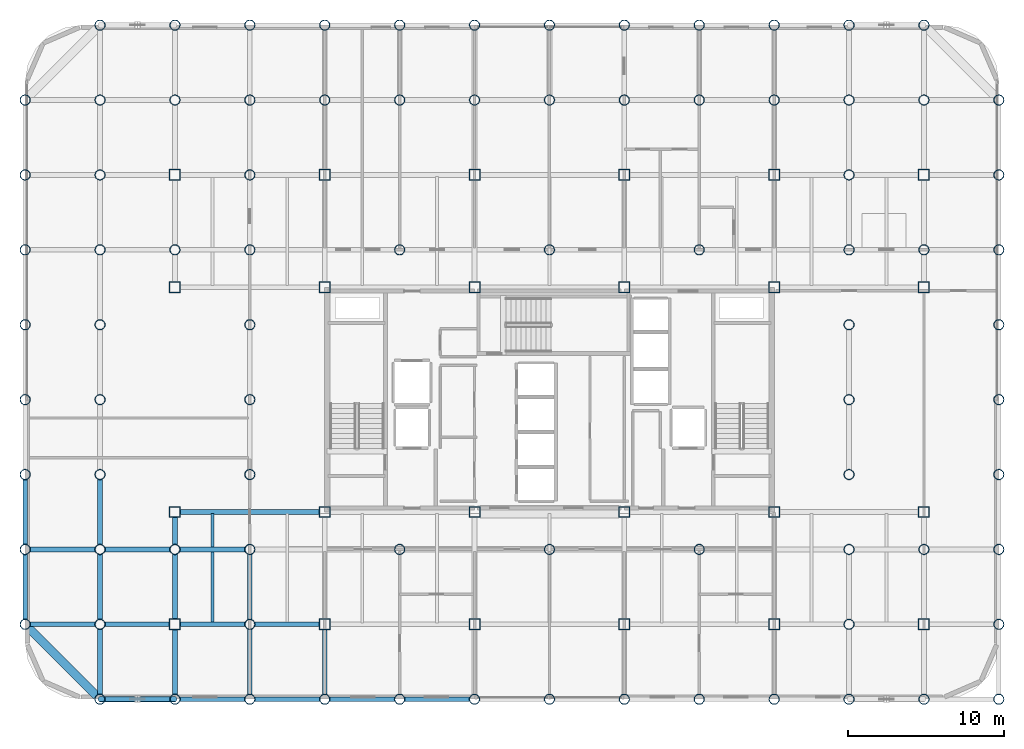
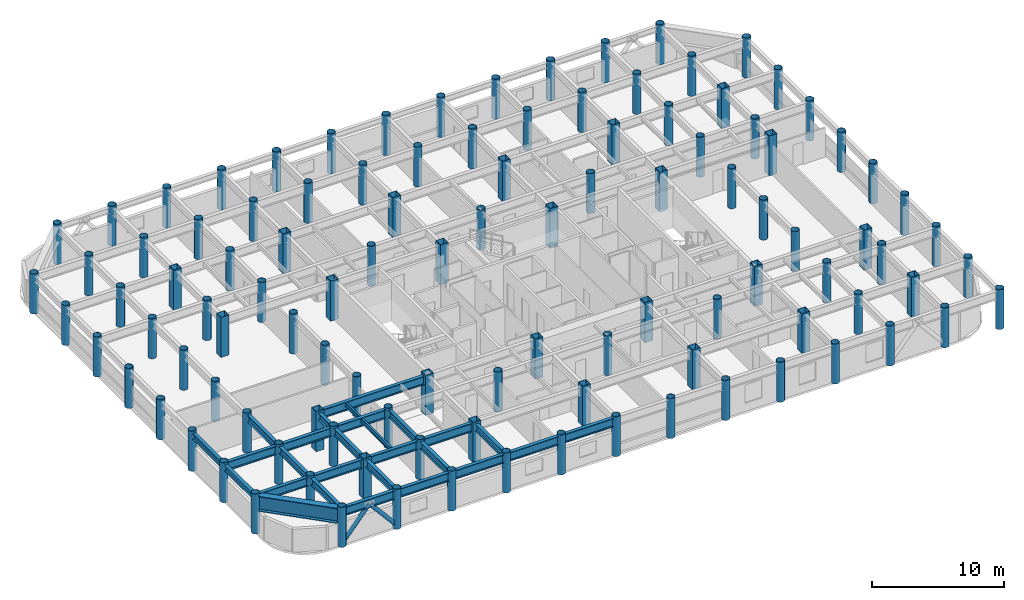
# One storey, part 1 of 21: 108 columns, 26 beams, 2 members.
"""IFC4 building model written with IfcOpenShell, lengths in metres."""

from ifc_helpers import new_model, si_unit, direction, frame, origin, origin_2d, place, context, subcontext, project, spatial, hollow_rectangle, hollow_circle, i_section, extrude, material, material_profile, profile_set, type_object, element, save


model = new_model("IFC4")

# Units and contexts
model_context = context("Model", 3, precision=1e-05, world=origin(), true_north=direction((0.0, 1.0)))
body_context = subcontext(model_context, "Body", "Model", "MODEL_VIEW")
ifc_project = project(units=[si_unit("LENGTHUNIT", "METRE"), si_unit("AREAUNIT", "SQUARE_METRE"), si_unit("VOLUMEUNIT", "CUBIC_METRE"), si_unit("PLANEANGLEUNIT", "RADIAN"), si_unit("MASSUNIT", "GRAM", prefix="KILO")], contexts=[model_context])

# Site, building, storey
site_placement = place(None, origin())
site = spatial("IfcSite", under=ifc_project, at=site_placement, CompositionType="ELEMENT")
building_placement = place(site_placement, origin())
building = spatial("IfcBuilding", under=site, at=building_placement, Name="Kallvorn Hotel Tower", CompositionType="ELEMENT")
storey_placement = place(building_placement, frame((0.0, 0.0, 139.60009765625)))
storey = spatial("IfcBuildingStorey", under=building, at=storey_placement, Name="L34", CompositionType="ELEMENT", Elevation=139.60009765625)

# Columns
ifc_material_1 = material(Name="Structural steel S355J2H", Category="steel")
ifc_material_profile_1 = material_profile(ifc_material_1, hollow_circle(Radius=0.330078125, WallThickness=0.028076171875, at=origin_2d()), Name="CHS 660x28")
ifc_profile_set_1 = profile_set([ifc_material_profile_1], Name="Structural steel S355J2H")
column_type_1 = type_object("IfcColumnType", Name="COL_CHS_660", PredefinedType="COLUMN", material=ifc_profile_set_1)
for number, where, z_axis, x_axis, name in (
    (1, (-33.60009765625, -14.39990234375, 0.0), (0.0, 0.0, 1.0), (1.0, 0.0, 0.0), "L34 Exoskeleton Column EC01"),
    (2, (-33.60009765625, -9.60009765625, 0.0), (0.0, 0.0, 1.0), (1.0, 0.0, 0.0), "L34 Exoskeleton Column EC02"),
    (3, (-33.60009765625, -4.800048828125, 0.0), (0.0, 0.0, 1.0), (1.0, 0.0, 0.0), "L34 Exoskeleton Column EC03"),
    (4, (-33.60009765625, 0.0, 0.0), (0.0, 0.0, 1.0), (1.0, 0.0, 0.0), "L34 Exoskeleton Column EC04"),
    (5, (-33.60009765625, 4.800048828125, 0.0), (0.0, 0.0, 1.0), (1.0, 0.0, 0.0), "L34 Exoskeleton Column EC05"),
    (6, (-33.60009765625, 9.60009765625, 0.0), (0.0, 0.0, 1.0), (1.0, 0.0, 0.0), "L34 Exoskeleton Column EC06"),
    (7, (-33.60009765625, 14.39990234375, 0.0), (0.0, 0.0, 1.0), (1.0, 0.0, 0.0), "L34 Exoskeleton Column EC07"),
    (8, (-33.60009765625, 19.199951171875, 0.0), (0.0, 0.0, 1.0), (1.0, 0.0, 0.0), "L34 Exoskeleton Column EC08"),
    (9, (-28.800048828125, -19.199951171875, 0.0), (0.0, 0.0, 1.0), (1.0, 0.0, 0.0), "L34 Exoskeleton Column EC09"),
    (10, (-28.800048828125, -14.39990234375, 0.0), (0.0, 0.0, 1.0), (1.0, 0.0, 0.0), "L34 Exoskeleton Column EC10"),
    (11, (-28.800048828125, -9.60009765625, 0.0), (0.0, 0.0, 1.0), (1.0, 0.0, 0.0), "L34 Exoskeleton Column EC11"),
    (12, (-28.800048828125, -4.800048828125, 0.0), (0.0, 0.0, 1.0), (1.0, 0.0, 0.0), "L34 Exoskeleton Column EC12"),
    (13, (-28.800048828125, 0.0, 0.0), (0.0, 0.0, 1.0), (1.0, 0.0, 0.0), "L34 Exoskeleton Column EC13"),
    (14, (-28.800048828125, 4.800048828125, 0.0), (0.0, 0.0, 1.0), (1.0, 0.0, 0.0), "L34 Exoskeleton Column EC14"),
    (15, (-28.800048828125, 9.60009765625, 0.0), (0.0, 0.0, 1.0), (1.0, 0.0, 0.0), "L34 Exoskeleton Column EC15"),
    (16, (-28.800048828125, 14.39990234375, 0.0), (0.0, 0.0, 1.0), (1.0, 0.0, 0.0), "L34 Exoskeleton Column EC16"),
    (17, (-28.800048828125, 19.199951171875, 0.0), (0.0, 0.0, 1.0), (1.0, 0.0, 0.0), "L34 Exoskeleton Column EC17"),
    (18, (-28.800048828125, 24.0, 0.0), (0.0, 0.0, 1.0), (1.0, 0.0, 0.0), "L34 Exoskeleton Column EC18"),
    (19, (-24.0, -19.199951171875, 0.0), (0.0, 0.0, 1.0), (1.0, 0.0, 0.0), "L34 Exoskeleton Column EC19"),
    (20, (-24.0, -9.60009765625, 0.0), (0.0, 0.0, 1.0), (1.0, 0.0, 0.0), "L34 Exoskeleton Column EC20"),
    (21, (-24.0, 9.60009765625, 0.0), (0.0, 0.0, 1.0), (1.0, 0.0, 0.0), "L34 Exoskeleton Column EC21"),
    (22, (-24.0, 19.199951171875, 0.0), (0.0, 0.0, 1.0), (1.0, 0.0, 0.0), "L34 Exoskeleton Column EC22"),
    (23, (-24.0, 24.0, 0.0), (0.0, 0.0, 1.0), (1.0, 0.0, 0.0), "L34 Exoskeleton Column EC23"),
    (24, (-19.199951171875, -19.199951171875, 0.0), (0.0, 0.0, 1.0), (1.0, 0.0, 0.0), "L34 Exoskeleton Column EC24"),
    (25, (-19.199951171875, -14.39990234375, 0.0), (0.0, 0.0, 1.0), (1.0, 0.0, 0.0), "L34 Exoskeleton Column EC25"),
    (26, (-19.199951171875, -9.60009765625, 0.0), (0.0, 0.0, 1.0), (1.0, 0.0, 0.0), "L34 Exoskeleton Column EC26"),
    (27, (-19.199951171875, -4.800048828125, 0.0), (0.0, 0.0, 1.0), (1.0, 0.0, 0.0), "L34 Exoskeleton Column EC27"),
    (28, (-19.199951171875, 0.0, 0.0), (0.0, 0.0, 1.0), (1.0, 0.0, 0.0), "L34 Exoskeleton Column EC28"),
    (29, (-19.199951171875, 4.800048828125, 0.0), (0.0, 0.0, 1.0), (1.0, 0.0, 0.0), "L34 Exoskeleton Column EC29"),
    (30, (-19.199951171875, 9.60009765625, 0.0), (0.0, 0.0, 1.0), (1.0, 0.0, 0.0), "L34 Exoskeleton Column EC30"),
    (31, (-19.199951171875, 14.39990234375, 0.0), (0.0, 0.0, 1.0), (1.0, 0.0, 0.0), "L34 Exoskeleton Column EC31"),
    (32, (-19.199951171875, 19.199951171875, 0.0), (0.0, 0.0, 1.0), (1.0, 0.0, 0.0), "L34 Exoskeleton Column EC32"),
    (33, (-19.199951171875, 24.0, 0.0), (0.0, 0.0, 1.0), (1.0, 0.0, 0.0), "L34 Exoskeleton Column EC33"),
    (34, (-14.39990234375, -19.199951171875, 0.0), (0.0, 0.0, 1.0), (1.0, 0.0, 0.0), "L34 Exoskeleton Column EC34"),
    (35, (-14.39990234375, 19.199951171875, 0.0), (0.0, 0.0, 1.0), (1.0, 0.0, 0.0), "L34 Exoskeleton Column EC35"),
    (36, (-14.39990234375, 24.0, 0.0), (0.0, 0.0, 1.0), (1.0, 0.0, 0.0), "L34 Exoskeleton Column EC36"),
    (37, (-9.60009765625, -19.199951171875, 0.0), (0.0, 0.0, 1.0), (1.0, 0.0, 0.0), "L34 Exoskeleton Column EC37"),
    (38, (-9.60009765625, -9.60009765625, 0.0), (0.0, 0.0, 1.0), (1.0, 0.0, 0.0), "L34 Exoskeleton Column EC38"),
    (39, (-9.60009765625, 9.60009765625, 0.0), (0.0, 0.0, 1.0), (1.0, 0.0, 0.0), "L34 Exoskeleton Column EC39"),
    (40, (-9.60009765625, 19.199951171875, 0.0), (0.0, 0.0, 1.0), (1.0, 0.0, 0.0), "L34 Exoskeleton Column EC40"),
    (41, (-9.60009765625, 24.0, 0.0), (0.0, 0.0, 1.0), (1.0, 0.0, 0.0), "L34 Exoskeleton Column EC41"),
    (42, (-4.800048828125, -19.199951171875, 0.0), (0.0, 0.0, 1.0), (1.0, 0.0, 0.0), "L34 Exoskeleton Column EC42"),
    (43, (-4.800048828125, 19.199951171875, 0.0), (0.0, 0.0, 1.0), (1.0, 0.0, 0.0), "L34 Exoskeleton Column EC43"),
    (44, (-4.800048828125, 24.0, 0.0), (0.0, 0.0, 1.0), (1.0, 0.0, 0.0), "L34 Exoskeleton Column EC44"),
    (45, (0.0, -19.199951171875, 0.0), (0.0, 0.0, 1.0), (1.0, 0.0, 0.0), "L34 Exoskeleton Column EC45"),
    (46, (0.0, -9.60009765625, 0.0), (0.0, 0.0, 1.0), (1.0, 0.0, 0.0), "L34 Exoskeleton Column EC46"),
    (47, (0.0, 9.60009765625, 0.0), (0.0, 0.0, 1.0), (1.0, 0.0, 0.0), "L34 Exoskeleton Column EC47"),
    (48, (0.0, 19.199951171875, 0.0), (0.0, 0.0, 1.0), (1.0, 0.0, 0.0), "L34 Exoskeleton Column EC48"),
    (49, (0.0, 24.0, 0.0), (0.0, 0.0, 1.0), (1.0, 0.0, 0.0), "L34 Exoskeleton Column EC49"),
    (50, (4.800048828125, -19.199951171875, 0.0), (0.0, 0.0, 1.0), (1.0, 0.0, 0.0), "L34 Exoskeleton Column EC50"),
    (51, (4.800048828125, 19.199951171875, 0.0), (0.0, 0.0, 1.0), (1.0, 0.0, 0.0), "L34 Exoskeleton Column EC51"),
    (52, (4.800048828125, 24.0, 0.0), (0.0, 0.0, 1.0), (1.0, 0.0, 0.0), "L34 Exoskeleton Column EC52"),
    (53, (9.60009765625, -19.199951171875, 0.0), (0.0, 0.0, 1.0), (1.0, 0.0, 0.0), "L34 Exoskeleton Column EC53"),
    (54, (9.60009765625, -9.60009765625, 0.0), (0.0, 0.0, 1.0), (1.0, 0.0, 0.0), "L34 Exoskeleton Column EC54"),
    (55, (9.60009765625, 9.60009765625, 0.0), (0.0, 0.0, 1.0), (1.0, 0.0, 0.0), "L34 Exoskeleton Column EC55"),
    (56, (9.60009765625, 19.199951171875, 0.0), (0.0, 0.0, 1.0), (1.0, 0.0, 0.0), "L34 Exoskeleton Column EC56"),
    (57, (9.60009765625, 24.0, 0.0), (0.0, 0.0, 1.0), (1.0, 0.0, 0.0), "L34 Exoskeleton Column EC57"),
    (58, (14.39990234375, -19.199951171875, 0.0), (0.0, 0.0, 1.0), (1.0, 0.0, 0.0), "L34 Exoskeleton Column EC58"),
    (59, (14.39990234375, 19.199951171875, 0.0), (0.0, 0.0, 1.0), (1.0, 0.0, 0.0), "L34 Exoskeleton Column EC59"),
    (60, (14.39990234375, 24.0, 0.0), (0.0, 0.0, 1.0), (1.0, 0.0, 0.0), "L34 Exoskeleton Column EC60"),
    (61, (19.199951171875, -19.199951171875, 0.0), (0.0, 0.0, 1.0), (1.0, 0.0, 0.0), "L34 Exoskeleton Column EC61"),
    (62, (19.199951171875, -14.39990234375, 0.0), (0.0, 0.0, 1.0), (1.0, 0.0, 0.0), "L34 Exoskeleton Column EC62"),
    (63, (19.199951171875, -9.60009765625, 0.0), (0.0, 0.0, 1.0), (1.0, 0.0, 0.0), "L34 Exoskeleton Column EC63"),
    (64, (19.199951171875, -4.800048828125, 0.0), (0.0, 0.0, 1.0), (1.0, 0.0, 0.0), "L34 Exoskeleton Column EC64"),
    (65, (19.199951171875, 0.0, 0.0), (0.0, 0.0, 1.0), (1.0, 0.0, 0.0), "L34 Exoskeleton Column EC65"),
    (66, (19.199951171875, 4.800048828125, 0.0), (0.0, 0.0, 1.0), (1.0, 0.0, 0.0), "L34 Exoskeleton Column EC66"),
    (67, (19.199951171875, 9.60009765625, 0.0), (0.0, 0.0, 1.0), (1.0, 0.0, 0.0), "L34 Exoskeleton Column EC67"),
    (68, (19.199951171875, 14.39990234375, 0.0), (0.0, 0.0, 1.0), (1.0, 0.0, 0.0), "L34 Exoskeleton Column EC68"),
    (69, (19.199951171875, 19.199951171875, 0.0), (0.0, 0.0, 1.0), (1.0, 0.0, 0.0), "L34 Exoskeleton Column EC69"),
    (70, (19.199951171875, 24.0, 0.0), (0.0, 0.0, 1.0), (1.0, 0.0, 0.0), "L34 Exoskeleton Column EC70"),
    (71, (24.0, -19.199951171875, 0.0), (0.0, 0.0, 1.0), (1.0, 0.0, 0.0), "L34 Exoskeleton Column EC71"),
    (72, (24.0, -9.60009765625, 0.0), (0.0, 0.0, 1.0), (1.0, 0.0, 0.0), "L34 Exoskeleton Column EC72"),
    (73, (24.0, 9.60009765625, 0.0), (0.0, 0.0, 1.0), (1.0, 0.0, 0.0), "L34 Exoskeleton Column EC73"),
    (74, (24.0, 19.199951171875, 0.0), (0.0, 0.0, 1.0), (1.0, 0.0, 0.0), "L34 Exoskeleton Column EC74"),
    (75, (24.0, 24.0, 0.0), (0.0, 0.0, 1.0), (1.0, 0.0, 0.0), "L34 Exoskeleton Column EC75"),
    (76, (28.800048828125, -19.199951171875, 0.0), (0.0, 0.0, 1.0), (1.0, 0.0, 0.0), "L34 Exoskeleton Column EC76"),
    (77, (28.800048828125, -14.39990234375, 0.0), (0.0, 0.0, 1.0), (1.0, 0.0, 0.0), "L34 Exoskeleton Column EC77"),
    (78, (28.800048828125, -9.60009765625, 0.0), (0.0, 0.0, 1.0), (1.0, 0.0, 0.0), "L34 Exoskeleton Column EC78"),
    (79, (28.800048828125, -4.800048828125, 0.0), (0.0, 0.0, 1.0), (1.0, 0.0, 0.0), "L34 Exoskeleton Column EC79"),
    (80, (28.800048828125, 0.0, 0.0), (0.0, 0.0, 1.0), (1.0, 0.0, 0.0), "L34 Exoskeleton Column EC80"),
    (81, (28.800048828125, 4.800048828125, 0.0), (0.0, 0.0, 1.0), (1.0, 0.0, 0.0), "L34 Exoskeleton Column EC81"),
    (82, (28.800048828125, 9.60009765625, 0.0), (0.0, 0.0, 1.0), (1.0, 0.0, 0.0), "L34 Exoskeleton Column EC82"),
    (83, (28.800048828125, 14.39990234375, 0.0), (0.0, 0.0, 1.0), (1.0, 0.0, 0.0), "L34 Exoskeleton Column EC83"),
    (84, (28.800048828125, 19.199951171875, 0.0), (0.0, 0.0, 1.0), (1.0, 0.0, 0.0), "L34 Exoskeleton Column EC84"),
):
    element("IfcColumn", number, at=place(storey_placement, frame(where, z_axis=z_axis, x_axis=x_axis)), inside=storey, type_object=column_type_1, Name=name, PredefinedType="COLUMN", context=body_context, shape_type="SweptSolid", body=[
        extrude(hollow_circle(Radius=0.330078125, WallThickness=0.028076171875, at=origin_2d()), origin(), (0.0, 0.0, 1.0), 3.699951171875),
    ])
ifc_material_2 = material(Name="Structural steel S355J2H", Category="steel")
ifc_material_profile_2 = material_profile(ifc_material_2, hollow_rectangle(XDim=0.699951171875, YDim=0.699951171875, WallThickness=0.031982421875, at=origin_2d()), Name="RHS 700x700x32")
ifc_profile_set_2 = profile_set([ifc_material_profile_2], Name="Structural steel S355J2H")
column_type_2 = type_object("IfcColumnType", Name="COL_RHS_700", PredefinedType="COLUMN", material=ifc_profile_set_2)
for number, where, z_axis, x_axis, name in (
    (85, (-24.0, -14.39990234375, 0.0), (0.0, 0.0, 1.0), (1.0, 0.0, 0.0), "L34 Inner Column IC01"),
    (86, (-24.0, -7.199951171875, 0.0), (0.0, 0.0, 1.0), (1.0, 0.0, 0.0), "L34 Inner Column IC02"),
    (87, (-24.0, 7.199951171875, 0.0), (0.0, 0.0, 1.0), (1.0, 0.0, 0.0), "L34 Inner Column IC03"),
    (88, (-24.0, 14.39990234375, 0.0), (0.0, 0.0, 1.0), (1.0, 0.0, 0.0), "L34 Inner Column IC04"),
    (89, (-14.39990234375, -14.39990234375, 0.0), (0.0, 0.0, 1.0), (1.0, 0.0, 0.0), "L34 Inner Column IC05"),
    (90, (-14.39990234375, -7.199951171875, 0.0), (0.0, 0.0, 1.0), (1.0, 0.0, 0.0), "L34 Inner Column IC06"),
    (91, (-14.39990234375, 7.199951171875, 0.0), (0.0, 0.0, 1.0), (1.0, 0.0, 0.0), "L34 Inner Column IC07"),
    (92, (-14.39990234375, 14.39990234375, 0.0), (0.0, 0.0, 1.0), (1.0, 0.0, 0.0), "L34 Inner Column IC08"),
    (93, (-4.800048828125, -14.39990234375, 0.0), (0.0, 0.0, 1.0), (1.0, 0.0, 0.0), "L34 Inner Column IC09"),
    (94, (-4.800048828125, -7.199951171875, 0.0), (0.0, 0.0, 1.0), (1.0, 0.0, 0.0), "L34 Inner Column IC10"),
    (95, (-4.800048828125, 7.199951171875, 0.0), (0.0, 0.0, 1.0), (1.0, 0.0, 0.0), "L34 Inner Column IC11"),
    (96, (-4.800048828125, 14.39990234375, 0.0), (0.0, 0.0, 1.0), (1.0, 0.0, 0.0), "L34 Inner Column IC12"),
    (97, (4.800048828125, -14.39990234375, 0.0), (0.0, 0.0, 1.0), (1.0, 0.0, 0.0), "L34 Inner Column IC13"),
    (98, (4.800048828125, -7.199951171875, 0.0), (0.0, 0.0, 1.0), (1.0, 0.0, 0.0), "L34 Inner Column IC14"),
    (99, (4.800048828125, 7.199951171875, 0.0), (0.0, 0.0, 1.0), (1.0, 0.0, 0.0), "L34 Inner Column IC15"),
    (100, (4.800048828125, 14.39990234375, 0.0), (0.0, 0.0, 1.0), (1.0, 0.0, 0.0), "L34 Inner Column IC16"),
    (101, (14.39990234375, -14.39990234375, 0.0), (0.0, 0.0, 1.0), (1.0, 0.0, 0.0), "L34 Inner Column IC17"),
    (102, (14.39990234375, -7.199951171875, 0.0), (0.0, 0.0, 1.0), (1.0, 0.0, 0.0), "L34 Inner Column IC18"),
    (103, (14.39990234375, 7.199951171875, 0.0), (0.0, 0.0, 1.0), (1.0, 0.0, 0.0), "L34 Inner Column IC19"),
    (104, (14.39990234375, 14.39990234375, 0.0), (0.0, 0.0, 1.0), (1.0, 0.0, 0.0), "L34 Inner Column IC20"),
    (105, (24.0, -14.39990234375, 0.0), (0.0, 0.0, 1.0), (1.0, 0.0, 0.0), "L34 Inner Column IC21"),
    (106, (24.0, -7.199951171875, 0.0), (0.0, 0.0, 1.0), (1.0, 0.0, 0.0), "L34 Inner Column IC22"),
    (107, (24.0, 7.199951171875, 0.0), (0.0, 0.0, 1.0), (1.0, 0.0, 0.0), "L34 Inner Column IC23"),
    (108, (24.0, 14.39990234375, 0.0), (0.0, 0.0, 1.0), (1.0, 0.0, 0.0), "L34 Inner Column IC24"),
):
    element("IfcColumn", number, at=place(storey_placement, frame(where, z_axis=z_axis, x_axis=x_axis)), inside=storey, type_object=column_type_2, Name=name, PredefinedType="COLUMN", context=body_context, shape_type="SweptSolid", body=[
        extrude(hollow_rectangle(XDim=0.699951171875, YDim=0.699951171875, WallThickness=0.031982421875, at=origin_2d()), origin(), (0.0, 0.0, 1.0), 3.699951171875),
    ])

# Beams
ifc_material_3 = material(Name="Structural steel S355JR", Category="steel")
ifc_material_profile_3 = material_profile(ifc_material_3, i_section(OverallWidth=0.300048828125, OverallDepth=0.550048828125, WebThickness=0.014892578125, FlangeThickness=0.029052734375, at=origin_2d()), Name="HE 550 B")
ifc_profile_set_3 = profile_set([ifc_material_profile_3], Name="Structural steel S355JR")
beam_type_1 = type_object("IfcBeamType", Name="BM_HE550B", PredefinedType="SPANDREL", material=ifc_profile_set_3)
beam_1_placement = place(storey_placement, frame((-33.60009765625, -14.080078125, 3.244873046875), z_axis=(0.0, 1.0, 0.0), x_axis=(-1.0, 0.0, 0.0)))
element("IfcBeam", 109, at=beam_1_placement, inside=storey, type_object=beam_type_1, Name="L35 Perimeter Spandrel 174", PredefinedType="SPANDREL", context=body_context, shape_type="SweptSolid", body=[
    extrude(i_section(OverallWidth=0.300048828125, OverallDepth=0.550048828125, WebThickness=0.014892578125, FlangeThickness=0.029052734375, at=origin_2d()), origin(), (0.0, 0.0, 1.0), 4.16015625),
])
beam_2_placement = place(storey_placement, frame((-33.60009765625, -9.280029296875, 3.244873046875), z_axis=(0.0, 1.0, 0.0), x_axis=(-1.0, 0.0, 0.0)))
element("IfcBeam", 110, at=beam_2_placement, inside=storey, type_object=beam_type_1, Name="L35 Perimeter Spandrel 175", PredefinedType="SPANDREL", context=body_context, shape_type="SweptSolid", body=[
    extrude(i_section(OverallWidth=0.300048828125, OverallDepth=0.550048828125, WebThickness=0.014892578125, FlangeThickness=0.029052734375, at=origin_2d()), origin(), (0.0, 0.0, 1.0), 4.159912109375),
])
ifc_material_4 = material(Name="Structural steel S355JR", Category="steel")
ifc_material_profile_4 = material_profile(ifc_material_4, i_section(OverallWidth=0.300048828125, OverallDepth=0.64990234375, WebThickness=0.01611328125, FlangeThickness=0.031005859375, at=origin_2d()), Name="HE 650 B")
ifc_profile_set_4 = profile_set([ifc_material_profile_4], Name="Structural steel S355JR")
beam_type_2 = type_object("IfcBeamType", Name="BM_HE650B", PredefinedType="BEAM", material=ifc_profile_set_4)
for number, where, z_axis, x_axis, name in (
    (111, (-28.800048828125, -18.89501953125, 3.19482421875), (0.0, 1.0, 0.0), (-1.0, 0.0, 0.0), "L35 Primary Y-Girder 73"),
    (112, (-28.800048828125, -14.094970703125, 3.19482421875), (0.0, 1.0, 0.0), (-1.0, 0.0, 0.0), "L35 Primary Y-Girder 74"),
    (113, (-28.800048828125, -9.294921875, 3.19482421875), (0.0, 1.0, 0.0), (-1.0, 0.0, 0.0), "L35 Primary Y-Girder 75"),
):
    element("IfcBeam", number, at=place(storey_placement, frame(where, z_axis=z_axis, x_axis=x_axis)), inside=storey, type_object=beam_type_2, Name=name, PredefinedType="BEAM", context=body_context, shape_type="SweptSolid", body=[
        extrude(i_section(OverallWidth=0.300048828125, OverallDepth=0.64990234375, WebThickness=0.01611328125, FlangeThickness=0.031005859375, at=origin_2d()), origin(), (0.0, 0.0, 1.0), 4.18994140625),
    ])
for number, where, z_axis, x_axis, name in (
    (114, (-24.0, -18.89501953125, 3.19482421875), (0.0, 1.0, 0.0), (-1.0, 0.0, 0.0), "L35 Primary Y-Girder 82"),
    (115, (-24.0, -14.074951171875, 3.19482421875), (0.0, 1.0, 0.0), (-1.0, 0.0, 0.0), "L35 Primary Y-Girder 83"),
):
    element("IfcBeam", number, at=place(storey_placement, frame(where, z_axis=z_axis, x_axis=x_axis)), inside=storey, type_object=beam_type_2, Name=name, PredefinedType="BEAM", context=body_context, shape_type="SweptSolid", body=[
        extrude(i_section(OverallWidth=0.300048828125, OverallDepth=0.64990234375, WebThickness=0.01611328125, FlangeThickness=0.031005859375, at=origin_2d()), origin(), (0.0, 0.0, 1.0), 4.169921875),
    ])
beam_3_placement = place(storey_placement, frame((-24.0, -9.294921875, 3.19482421875), z_axis=(0.0, 1.0, 0.0), x_axis=(-1.0, 0.0, 0.0)))
element("IfcBeam", 116, at=beam_3_placement, inside=storey, type_object=beam_type_2, Name="L35 Primary Y-Girder 84", PredefinedType="BEAM", context=body_context, shape_type="SweptSolid", body=[
    extrude(i_section(OverallWidth=0.300048828125, OverallDepth=0.64990234375, WebThickness=0.01611328125, FlangeThickness=0.031005859375, at=origin_2d()), origin(), (0.0, 0.0, 1.0), 1.77001953125),
])
for number, where, z_axis, x_axis, name in (
    (117, (-19.199951171875, -18.89501953125, 3.19482421875), (0.0, 1.0, 0.0), (-1.0, 0.0, 0.0), "L35 Primary Y-Girder 89"),
    (118, (-19.199951171875, -14.094970703125, 3.19482421875), (0.0, 1.0, 0.0), (-1.0, 0.0, 0.0), "L35 Primary Y-Girder 90"),
):
    element("IfcBeam", number, at=place(storey_placement, frame(where, z_axis=z_axis, x_axis=x_axis)), inside=storey, type_object=beam_type_2, Name=name, PredefinedType="BEAM", context=body_context, shape_type="SweptSolid", body=[
        extrude(i_section(OverallWidth=0.300048828125, OverallDepth=0.64990234375, WebThickness=0.01611328125, FlangeThickness=0.031005859375, at=origin_2d()), origin(), (0.0, 0.0, 1.0), 4.18994140625),
    ])
beam_4_placement = place(storey_placement, frame((-14.39990234375, -18.89501953125, 3.19482421875), z_axis=(0.0, 1.0, 0.0), x_axis=(-1.0, 0.0, 0.0)))
element("IfcBeam", 119, at=beam_4_placement, inside=storey, type_object=beam_type_2, Name="L35 Primary Y-Girder 98", PredefinedType="BEAM", context=body_context, shape_type="SweptSolid", body=[
    extrude(i_section(OverallWidth=0.300048828125, OverallDepth=0.64990234375, WebThickness=0.01611328125, FlangeThickness=0.031005859375, at=origin_2d()), origin(), (0.0, 0.0, 1.0), 4.169921875),
])
ifc_material_5 = material(Name="Structural steel S355JR", Category="steel")
ifc_material_profile_5 = material_profile(ifc_material_5, i_section(OverallWidth=0.300048828125, OverallDepth=0.800048828125, WebThickness=0.017578125, FlangeThickness=0.032958984375, at=origin_2d()), Name="HE 800 B")
ifc_profile_set_5 = profile_set([ifc_material_profile_5], Name="Structural steel S355JR")
beam_type_3 = type_object("IfcBeamType", Name="BM_HE800B", PredefinedType="BEAM", material=ifc_profile_set_5)
for number, where, z_axis, x_axis, name in (
    (120, (-28.4951171875, -19.199951171875, 3.119873046875), (1.0, 0.0, 0.0), (0.0, 1.0, 0.0), "L35 Primary X-Girder 01"),
    (121, (-23.695068359375, -19.199951171875, 3.119873046875), (1.0, 0.0, 0.0), (0.0, 1.0, 0.0), "L35 Primary X-Girder 02"),
):
    element("IfcBeam", number, at=place(storey_placement, frame(where, z_axis=z_axis, x_axis=x_axis)), inside=storey, type_object=beam_type_3, Name=name, PredefinedType="BEAM", context=body_context, shape_type="SweptSolid", body=[
        extrude(i_section(OverallWidth=0.300048828125, OverallDepth=0.800048828125, WebThickness=0.017578125, FlangeThickness=0.032958984375, at=origin_2d()), origin(), (0.0, 0.0, 1.0), 4.190185546875),
    ])
for number, where, z_axis, x_axis, name in (
    (122, (-18.89501953125, -19.199951171875, 3.119873046875), (1.0, 0.0, 0.0), (0.0, 1.0, 0.0), "L35 Primary X-Girder 03"),
    (123, (-14.094970703125, -19.199951171875, 3.119873046875), (1.0, 0.0, 0.0), (0.0, 1.0, 0.0), "L35 Primary X-Girder 04"),
    (124, (-9.294921875, -19.199951171875, 3.119873046875), (1.0, 0.0, 0.0), (0.0, 1.0, 0.0), "L35 Primary X-Girder 05"),
    (125, (-33.294921875, -14.39990234375, 3.119873046875), (1.0, 0.0, 0.0), (0.0, 1.0, 0.0), "L35 Primary X-Girder 13"),
):
    element("IfcBeam", number, at=place(storey_placement, frame(where, z_axis=z_axis, x_axis=x_axis)), inside=storey, type_object=beam_type_3, Name=name, PredefinedType="BEAM", context=body_context, shape_type="SweptSolid", body=[
        extrude(i_section(OverallWidth=0.300048828125, OverallDepth=0.800048828125, WebThickness=0.017578125, FlangeThickness=0.032958984375, at=origin_2d()), origin(), (0.0, 0.0, 1.0), 4.18994140625),
    ])
for number, where, z_axis, x_axis, name in (
    (126, (-28.4951171875, -14.39990234375, 3.119873046875), (1.0, 0.0, 0.0), (0.0, 1.0, 0.0), "L35 Primary X-Girder 14"),
    (127, (-23.675048828125, -14.39990234375, 3.119873046875), (1.0, 0.0, 0.0), (0.0, 1.0, 0.0), "L35 Primary X-Girder 15"),
):
    element("IfcBeam", number, at=place(storey_placement, frame(where, z_axis=z_axis, x_axis=x_axis)), inside=storey, type_object=beam_type_3, Name=name, PredefinedType="BEAM", context=body_context, shape_type="SweptSolid", body=[
        extrude(i_section(OverallWidth=0.300048828125, OverallDepth=0.800048828125, WebThickness=0.017578125, FlangeThickness=0.032958984375, at=origin_2d()), origin(), (0.0, 0.0, 1.0), 4.170166015625),
    ])
beam_5_placement = place(storey_placement, frame((-18.89501953125, -14.39990234375, 3.119873046875), z_axis=(1.0, 0.0, 0.0), x_axis=(0.0, 1.0, 0.0)))
element("IfcBeam", 128, at=beam_5_placement, inside=storey, type_object=beam_type_3, Name="L35 Primary X-Girder 16", PredefinedType="BEAM", context=body_context, shape_type="SweptSolid", body=[
    extrude(i_section(OverallWidth=0.300048828125, OverallDepth=0.800048828125, WebThickness=0.017578125, FlangeThickness=0.032958984375, at=origin_2d()), origin(), (0.0, 0.0, 1.0), 4.169921875),
])
beam_6_placement = place(storey_placement, frame((-33.294921875, -9.60009765625, 3.119873046875), z_axis=(1.0, 0.0, 0.0), x_axis=(0.0, 1.0, 0.0)))
element("IfcBeam", 129, at=beam_6_placement, inside=storey, type_object=beam_type_3, Name="L35 Primary X-Girder 23", PredefinedType="BEAM", context=body_context, shape_type="SweptSolid", body=[
    extrude(i_section(OverallWidth=0.300048828125, OverallDepth=0.800048828125, WebThickness=0.017578125, FlangeThickness=0.032958984375, at=origin_2d()), origin(), (0.0, 0.0, 1.0), 4.18994140625),
])
for number, where, z_axis, x_axis, name in (
    (130, (-28.4951171875, -9.60009765625, 3.119873046875), (1.0, 0.0, 0.0), (0.0, 1.0, 0.0), "L35 Primary X-Girder 24"),
    (131, (-23.695068359375, -9.60009765625, 3.119873046875), (1.0, 0.0, 0.0), (0.0, 1.0, 0.0), "L35 Primary X-Girder 25"),
):
    element("IfcBeam", number, at=place(storey_placement, frame(where, z_axis=z_axis, x_axis=x_axis)), inside=storey, type_object=beam_type_3, Name=name, PredefinedType="BEAM", context=body_context, shape_type="SweptSolid", body=[
        extrude(i_section(OverallWidth=0.300048828125, OverallDepth=0.800048828125, WebThickness=0.017578125, FlangeThickness=0.032958984375, at=origin_2d()), origin(), (0.0, 0.0, 1.0), 4.190185546875),
    ])
beam_7_placement = place(storey_placement, frame((-23.675048828125, -7.199951171875, 3.119873046875), z_axis=(1.0, 0.0, 0.0), x_axis=(0.0, 1.0, 0.0)))
element("IfcBeam", 132, at=beam_7_placement, inside=storey, type_object=beam_type_3, Name="L35 Primary X-Girder 32", PredefinedType="BEAM", context=body_context, shape_type="SweptSolid", body=[
    extrude(i_section(OverallWidth=0.300048828125, OverallDepth=0.800048828125, WebThickness=0.017578125, FlangeThickness=0.032958984375, at=origin_2d()), origin(), (0.0, 0.0, 1.0), 8.949951171875),
])
ifc_material_6 = material(Name="Structural steel S355JR", Category="steel")
ifc_material_profile_6 = material_profile(ifc_material_6, i_section(OverallWidth=0.179931640625, OverallDepth=0.39990234375, WebThickness=0.008544921875, FlangeThickness=0.013427734375, at=origin_2d()), Name="IPE 400")
ifc_profile_set_6 = profile_set([ifc_material_profile_6], Name="Structural steel S355JR")
beam_type_4 = type_object("IfcBeamType", Name="BM_IPE400", PredefinedType="JOIST", material=ifc_profile_set_6)
beam_8_placement = place(storey_placement, frame((-21.60009765625, -14.300048828125, 3.31982421875), z_axis=(0.0, 1.0, 0.0), x_axis=(-1.0, 0.0, 0.0)))
element("IfcBeam", 133, at=beam_8_placement, inside=storey, type_object=beam_type_4, Name="L35 Secondary Composite Joist 192", PredefinedType="JOIST", context=body_context, shape_type="SweptSolid", body=[
    extrude(i_section(OverallWidth=0.179931640625, OverallDepth=0.39990234375, WebThickness=0.008544921875, FlangeThickness=0.013427734375, at=origin_2d()), origin(), (0.0, 0.0, 1.0), 7.0),
])
ifc_material_7 = material(Name="Structural steel S355JR", Category="steel")
ifc_material_profile_7 = material_profile(ifc_material_7, i_section(OverallWidth=0.550048828125, OverallDepth=1.39990234375, WebThickness=0.02490234375, FlangeThickness=0.044921875, at=origin_2d()), Name="PG 1400x550x25x45")
ifc_profile_set_7 = profile_set([ifc_material_profile_7], Name="Structural steel S355JR")
beam_type_5 = type_object("IfcBeamType", Name="BM_PG_1400", PredefinedType="BEAM", material=ifc_profile_set_7)
beam_9_placement = place(storey_placement, frame((-33.373779296875, -14.626220703125, 2.81982421875), z_axis=(0.707106781187, -0.707106781187, 0.0), x_axis=(0.707106781187, 0.707106781187, 0.0)))
element("IfcBeam", 134, at=beam_9_placement, inside=storey, type_object=beam_type_5, Name="L35 Rounded Corner Tie Beam 189", PredefinedType="BEAM", context=body_context, shape_type="SweptSolid", body=[
    extrude(i_section(OverallWidth=0.550048828125, OverallDepth=1.39990234375, WebThickness=0.02490234375, FlangeThickness=0.044921875, at=origin_2d()), origin(), (0.0, 0.0, 1.0), 6.148193359375),
])

# Members
ifc_material_8 = material(Name="Structural steel S355J2H", Category="steel")
ifc_material_profile_8 = material_profile(ifc_material_8, hollow_circle(Radius=0.177734375, WallThickness=0.01416015625, at=origin_2d()), Name="CHS 355.6x14.2")
ifc_profile_set_8 = profile_set([ifc_material_profile_8], Name="Structural steel S355J2H")
member_type = type_object("IfcMemberType", Name="MBR_EXO_CHS355", PredefinedType="BRACE", material=ifc_profile_set_8)
for number, where, z_axis, x_axis, name in (
    (135, (-28.787109375, -19.199951171875, 0.1953125), (0.646833296797, 0.0, 0.762631422218), (0.0, 1.0, 0.0), "L34 Exoskeleton K-Brace S1A"),
    (136, (-24.012939453125, -19.199951171875, 0.1953125), (-0.646833296797, 0.0, 0.762631422218), (0.0, -1.0, 0.0), "L34 Exoskeleton K-Brace S1B"),
):
    element("IfcMember", number, at=place(storey_placement, frame(where, z_axis=z_axis, x_axis=x_axis)), inside=storey, type_object=member_type, Name=name, PredefinedType="BRACE", context=body_context, shape_type="SweptSolid", body=[
        extrude(hollow_circle(Radius=0.177734375, WallThickness=0.01416015625, at=origin_2d()), origin(), (0.0, 0.0, 1.0), 3.670654296875),
    ])

save(model, "model.ifc")
